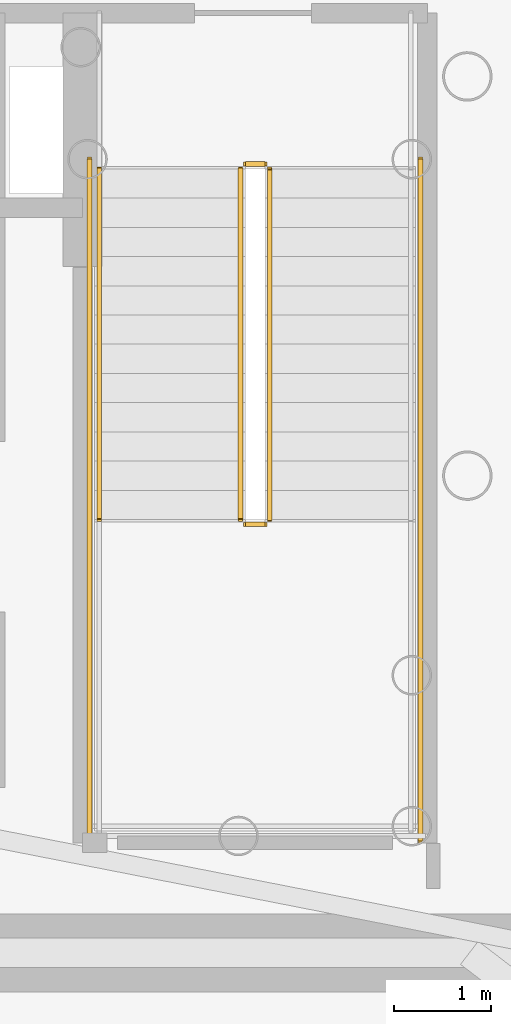
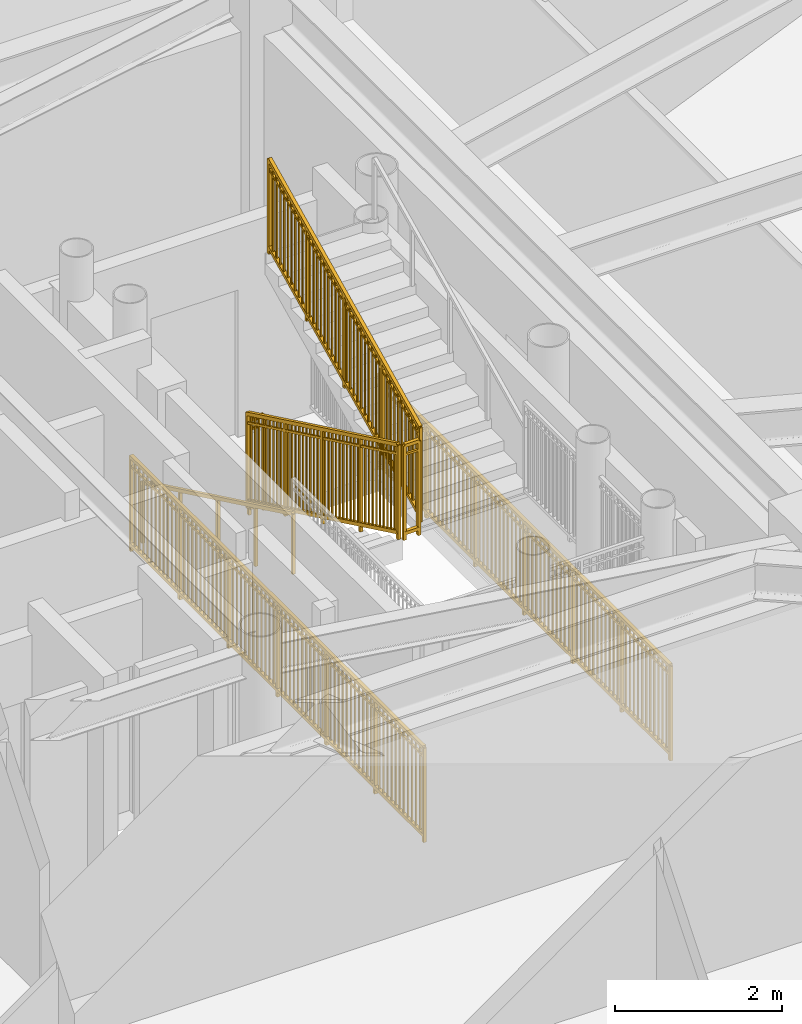
# One storey, part 19 of 20: 7 railings.
"""IFC4 building model written with IfcOpenShell, lengths in metres."""

from ifc_helpers import new_model, si_unit, direction, frame, origin, origin_2d, place, context, subcontext, project, spatial, rectangle, extrude, source, transform, mapped, material, type_object, element, save


model = new_model("IFC4")

# Units and contexts
model_context = context("Model", 3, precision=1e-05, world=origin(), true_north=direction((0.0, 1.0)))
body_context = subcontext(model_context, "Body", "Model", "MODEL_VIEW")
ifc_project = project(units=[si_unit("LENGTHUNIT", "METRE"), si_unit("AREAUNIT", "SQUARE_METRE"), si_unit("VOLUMEUNIT", "CUBIC_METRE"), si_unit("PLANEANGLEUNIT", "RADIAN"), si_unit("MASSUNIT", "GRAM", prefix="KILO")], contexts=[model_context])

# Site, building, storey
site_placement = place(None, origin())
site = spatial("IfcSite", under=ifc_project, at=site_placement, CompositionType="ELEMENT")
building_placement = place(site_placement, origin())
building = spatial("IfcBuilding", under=site, at=building_placement, Name="Linh Dai School and Residence Tower", CompositionType="ELEMENT")
storey_placement = place(building_placement, frame((0.0, 0.0, 127.199951171875)))
storey = spatial("IfcBuildingStorey", under=building, at=storey_placement, Name="L30", CompositionType="ELEMENT", Elevation=127.199951171875)

# Railings
ifc_material_1 = material(Name="Structural Steel S355JR", Category="steel")
railing_type_1 = type_object("IfcRailingType", Name="RL-ST-GUARD-1400", PredefinedType="GUARDRAIL", material=ifc_material_1)
shared_shape_1 = source(origin(), body_context, "Body", "SweptSolid", [
    extrude(rectangle(XDim=0.048095703125, YDim=0.048095703125, at=origin_2d()), frame((0.0, 0.0, 1.3759765625), z_axis=(0.0, 0.901262522062, 0.433273431364), x_axis=(-1.0, 0.0, 0.0)), (0.0, 0.0, 1.0), 3.994384765625),
    extrude(rectangle(XDim=0.048095703125, YDim=0.048095703125, at=origin_2d()), frame((0.0, 0.0, 0.10009765625), z_axis=(0.0, 0.901262522062, 0.433273431364), x_axis=(-1.0, 0.0, 0.0)), (0.0, 0.0, 1.0), 3.994384765625),
    extrude(rectangle(XDim=0.030029296875, YDim=0.030029296875, at=origin_2d()), frame((0.0, 0.0, 1.239990234375), z_axis=(0.0, 0.901262522062, 0.433273431364), x_axis=(-1.0, 0.0, 0.0)), (0.0, 0.0, 1.0), 3.994384765625),
    extrude(rectangle(XDim=0.02001953125, YDim=0.02001953125, at=origin_2d()), frame((0.0, 0.087890625, 0.142333984375)), (0.0, 0.0, 1.0), 1.251708984375),
    extrude(rectangle(XDim=0.02001953125, YDim=0.02001953125, at=origin_2d()), frame((0.0, 0.175537109375, 0.1845703125)), (0.0, 0.0, 1.0), 1.251708984375),
    extrude(rectangle(XDim=0.02001953125, YDim=0.02001953125, at=origin_2d()), frame((0.0, 0.263427734375, 0.226806640625)), (0.0, 0.0, 1.0), 1.251708984375),
    extrude(rectangle(XDim=0.02001953125, YDim=0.02001953125, at=origin_2d()), frame((0.0, 0.351318359375, 0.26904296875)), (0.0, 0.0, 1.0), 1.251708984375),
    extrude(rectangle(XDim=0.02001953125, YDim=0.02001953125, at=origin_2d()), frame((0.0, 0.43896484375, 0.311279296875)), (0.0, 0.0, 1.0), 1.251708984375),
    extrude(rectangle(XDim=0.02001953125, YDim=0.02001953125, at=origin_2d()), frame((0.0, 0.52685546875, 0.353271484375)), (0.0, 0.0, 1.0), 1.251708984375),
    extrude(rectangle(XDim=0.02001953125, YDim=0.02001953125, at=origin_2d()), frame((0.0, 0.61474609375, 0.3955078125)), (0.0, 0.0, 1.0), 1.251708984375),
    extrude(rectangle(XDim=0.02001953125, YDim=0.02001953125, at=origin_2d()), frame((0.0, 0.702392578125, 0.437744140625)), (0.0, 0.0, 1.0), 1.251708984375),
    extrude(rectangle(XDim=0.02001953125, YDim=0.02001953125, at=origin_2d()), frame((0.0, 0.790283203125, 0.47998046875)), (0.0, 0.0, 1.0), 1.251708984375),
    extrude(rectangle(XDim=0.02001953125, YDim=0.02001953125, at=origin_2d()), frame((0.0, 0.9658203125, 0.564453125)), (0.0, 0.0, 1.0), 1.251708984375),
    extrude(rectangle(XDim=0.02001953125, YDim=0.02001953125, at=origin_2d()), frame((0.0, 1.0537109375, 0.606689453125)), (0.0, 0.0, 1.0), 1.251708984375),
    extrude(rectangle(XDim=0.02001953125, YDim=0.02001953125, at=origin_2d()), frame((0.0, 1.1416015625, 0.64892578125)), (0.0, 0.0, 1.0), 1.251708984375),
    extrude(rectangle(XDim=0.02001953125, YDim=0.02001953125, at=origin_2d()), frame((0.0, 1.229248046875, 0.691162109375)), (0.0, 0.0, 1.0), 1.251708984375),
    extrude(rectangle(XDim=0.02001953125, YDim=0.02001953125, at=origin_2d()), frame((0.0, 1.317138671875, 0.7333984375)), (0.0, 0.0, 1.0), 1.251708984375),
    extrude(rectangle(XDim=0.02001953125, YDim=0.02001953125, at=origin_2d()), frame((0.0, 1.405029296875, 0.775390625)), (0.0, 0.0, 1.0), 1.251708984375),
    extrude(rectangle(XDim=0.02001953125, YDim=0.02001953125, at=origin_2d()), frame((0.0, 1.49267578125, 0.817626953125)), (0.0, 0.0, 1.0), 1.251708984375),
    extrude(rectangle(XDim=0.02001953125, YDim=0.02001953125, at=origin_2d()), frame((0.0, 1.58056640625, 0.85986328125)), (0.0, 0.0, 1.0), 1.251708984375),
    extrude(rectangle(XDim=0.02001953125, YDim=0.02001953125, at=origin_2d()), frame((0.0, 1.66845703125, 0.902099609375)), (0.0, 0.0, 1.0), 1.251708984375),
    extrude(rectangle(XDim=0.02001953125, YDim=0.02001953125, at=origin_2d()), frame((0.0, 1.756103515625, 0.9443359375)), (0.0, 0.0, 1.0), 1.251708984375),
    extrude(rectangle(XDim=0.02001953125, YDim=0.02001953125, at=origin_2d()), frame((0.0, 1.843994140625, 0.986572265625)), (0.0, 0.0, 1.0), 1.251708984375),
    extrude(rectangle(XDim=0.02001953125, YDim=0.02001953125, at=origin_2d()), frame((0.0, 1.931640625, 1.02880859375)), (0.0, 0.0, 1.0), 1.251708984375),
    extrude(rectangle(XDim=0.02001953125, YDim=0.02001953125, at=origin_2d()), frame((0.0, 2.01953125, 1.071044921875)), (0.0, 0.0, 1.0), 1.251708984375),
    extrude(rectangle(XDim=0.02001953125, YDim=0.02001953125, at=origin_2d()), frame((0.0, 2.107421875, 1.11328125)), (0.0, 0.0, 1.0), 1.251708984375),
    extrude(rectangle(XDim=0.02001953125, YDim=0.02001953125, at=origin_2d()), frame((0.0, 2.195068359375, 1.155517578125)), (0.0, 0.0, 1.0), 1.251708984375),
    extrude(rectangle(XDim=0.02001953125, YDim=0.02001953125, at=origin_2d()), frame((0.0, 2.282958984375, 1.197509765625)), (0.0, 0.0, 1.0), 1.251708984375),
    extrude(rectangle(XDim=0.02001953125, YDim=0.02001953125, at=origin_2d()), frame((0.0, 2.370849609375, 1.23974609375)), (0.0, 0.0, 1.0), 1.251708984375),
    extrude(rectangle(XDim=0.02001953125, YDim=0.02001953125, at=origin_2d()), frame((0.0, 2.45849609375, 1.281982421875)), (0.0, 0.0, 1.0), 1.251708984375),
    extrude(rectangle(XDim=0.02001953125, YDim=0.02001953125, at=origin_2d()), frame((0.0, 2.54638671875, 1.32421875)), (0.0, 0.0, 1.0), 1.251708984375),
    extrude(rectangle(XDim=0.02001953125, YDim=0.02001953125, at=origin_2d()), frame((0.0, 2.63427734375, 1.366455078125)), (0.0, 0.0, 1.0), 1.251708984375),
    extrude(rectangle(XDim=0.02001953125, YDim=0.02001953125, at=origin_2d()), frame((0.0, 2.809814453125, 1.450927734375)), (0.0, 0.0, 1.0), 1.251708984375),
    extrude(rectangle(XDim=0.02001953125, YDim=0.02001953125, at=origin_2d()), frame((0.0, 2.897705078125, 1.4931640625)), (0.0, 0.0, 1.0), 1.251708984375),
    extrude(rectangle(XDim=0.02001953125, YDim=0.02001953125, at=origin_2d()), frame((0.0, 2.9853515625, 1.535400390625)), (0.0, 0.0, 1.0), 1.251708984375),
    extrude(rectangle(XDim=0.02001953125, YDim=0.02001953125, at=origin_2d()), frame((0.0, 3.0732421875, 1.57763671875)), (0.0, 0.0, 1.0), 1.251708984375),
    extrude(rectangle(XDim=0.02001953125, YDim=0.02001953125, at=origin_2d()), frame((0.0, 3.1611328125, 1.61962890625)), (0.0, 0.0, 1.0), 1.251708984375),
    extrude(rectangle(XDim=0.02001953125, YDim=0.02001953125, at=origin_2d()), frame((0.0, 3.248779296875, 1.661865234375)), (0.0, 0.0, 1.0), 1.251708984375),
    extrude(rectangle(XDim=0.02001953125, YDim=0.02001953125, at=origin_2d()), frame((0.0, 3.336669921875, 1.7041015625)), (0.0, 0.0, 1.0), 1.251708984375),
    extrude(rectangle(XDim=0.02001953125, YDim=0.02001953125, at=origin_2d()), frame((0.0, 3.424560546875, 1.746337890625)), (0.0, 0.0, 1.0), 1.251708984375),
    extrude(rectangle(XDim=0.02001953125, YDim=0.02001953125, at=origin_2d()), frame((0.0, 3.51220703125, 1.78857421875)), (0.0, 0.0, 1.0), 1.251708984375),
    extrude(rectangle(XDim=0.0419921875, YDim=0.0419921875, at=origin_2d()), origin(), (0.0, 0.0, 1.0), 1.3759765625),
    extrude(rectangle(XDim=0.0419921875, YDim=0.0419921875, at=origin_2d()), frame((0.0, 0.89990234375, 0.4326171875)), (0.0, 0.0, 1.0), 1.3759765625),
    extrude(rectangle(XDim=0.0419921875, YDim=0.0419921875, at=origin_2d()), frame((0.0, 1.800048828125, 0.865234375)), (0.0, 0.0, 1.0), 1.3759765625),
    extrude(rectangle(XDim=0.0419921875, YDim=0.0419921875, at=origin_2d()), frame((0.0, 2.7001953125, 1.298095703125)), (0.0, 0.0, 1.0), 1.3759765625),
    extrude(rectangle(XDim=0.0419921875, YDim=0.0419921875, at=origin_2d()), frame((0.0, 3.60009765625, 1.730712890625)), (0.0, 0.0, 1.0), 1.3759765625),
])
railing_1_placement = place(storey_placement, frame((42.820068359375, 24.64990234375, 2.019287109375)))
element("IfcRailing", 1, at=railing_1_placement, inside=storey, type_object=railing_type_1, Name="L30 ST2 stair guard 6", PredefinedType="GUARDRAIL", context=body_context, shape_type="MappedRepresentation", body=[
    mapped(shared_shape_1, transform((0.0, 0.0, 0.0), x_axis=(1.0, 0.0, 0.0), y_axis=(0.0, 1.0, 0.0), z_axis=(0.0, 0.0, 1.0), scale=1.0)),
])
shared_shape_2 = source(origin(), body_context, "Body", "SweptSolid", [
    extrude(rectangle(XDim=0.048095703125, YDim=0.048095703125, at=origin_2d()), frame((0.0, 0.0, 1.3759765625), z_axis=(0.0, -0.901262522062, 0.433273431364), x_axis=(1.0, 0.0, 0.0)), (0.0, 0.0, 1.0), 3.994384765625),
    extrude(rectangle(XDim=0.048095703125, YDim=0.048095703125, at=origin_2d()), frame((0.0, 0.0, 0.10009765625), z_axis=(0.0, -0.901262522062, 0.433273431364), x_axis=(1.0, 0.0, 0.0)), (0.0, 0.0, 1.0), 3.994384765625),
    extrude(rectangle(XDim=0.030029296875, YDim=0.030029296875, at=origin_2d()), frame((0.0, 0.0, 1.239990234375), z_axis=(0.0, -0.901262522062, 0.433273431364), x_axis=(1.0, 0.0, 0.0)), (0.0, 0.0, 1.0), 3.994384765625),
    extrude(rectangle(XDim=0.02001953125, YDim=0.02001953125, at=origin_2d()), frame((0.0, -0.087890625, 0.142333984375)), (0.0, 0.0, 1.0), 1.251708984375),
    extrude(rectangle(XDim=0.02001953125, YDim=0.02001953125, at=origin_2d()), frame((0.0, -0.175537109375, 0.1845703125)), (0.0, 0.0, 1.0), 1.251708984375),
    extrude(rectangle(XDim=0.02001953125, YDim=0.02001953125, at=origin_2d()), frame((0.0, -0.263427734375, 0.226806640625)), (0.0, 0.0, 1.0), 1.251708984375),
    extrude(rectangle(XDim=0.02001953125, YDim=0.02001953125, at=origin_2d()), frame((0.0, -0.351318359375, 0.26904296875)), (0.0, 0.0, 1.0), 1.251708984375),
    extrude(rectangle(XDim=0.02001953125, YDim=0.02001953125, at=origin_2d()), frame((0.0, -0.43896484375, 0.311279296875)), (0.0, 0.0, 1.0), 1.251708984375),
    extrude(rectangle(XDim=0.02001953125, YDim=0.02001953125, at=origin_2d()), frame((0.0, -0.52685546875, 0.353271484375)), (0.0, 0.0, 1.0), 1.251708984375),
    extrude(rectangle(XDim=0.02001953125, YDim=0.02001953125, at=origin_2d()), frame((0.0, -0.61474609375, 0.3955078125)), (0.0, 0.0, 1.0), 1.251708984375),
    extrude(rectangle(XDim=0.02001953125, YDim=0.02001953125, at=origin_2d()), frame((0.0, -0.702392578125, 0.437744140625)), (0.0, 0.0, 1.0), 1.251708984375),
    extrude(rectangle(XDim=0.02001953125, YDim=0.02001953125, at=origin_2d()), frame((0.0, -0.790283203125, 0.47998046875)), (0.0, 0.0, 1.0), 1.251708984375),
    extrude(rectangle(XDim=0.02001953125, YDim=0.02001953125, at=origin_2d()), frame((0.0, -0.9658203125, 0.564453125)), (0.0, 0.0, 1.0), 1.251708984375),
    extrude(rectangle(XDim=0.02001953125, YDim=0.02001953125, at=origin_2d()), frame((0.0, -1.0537109375, 0.606689453125)), (0.0, 0.0, 1.0), 1.251708984375),
    extrude(rectangle(XDim=0.02001953125, YDim=0.02001953125, at=origin_2d()), frame((0.0, -1.1416015625, 0.64892578125)), (0.0, 0.0, 1.0), 1.251708984375),
    extrude(rectangle(XDim=0.02001953125, YDim=0.02001953125, at=origin_2d()), frame((0.0, -1.229248046875, 0.691162109375)), (0.0, 0.0, 1.0), 1.251708984375),
    extrude(rectangle(XDim=0.02001953125, YDim=0.02001953125, at=origin_2d()), frame((0.0, -1.317138671875, 0.7333984375)), (0.0, 0.0, 1.0), 1.251708984375),
    extrude(rectangle(XDim=0.02001953125, YDim=0.02001953125, at=origin_2d()), frame((0.0, -1.405029296875, 0.775390625)), (0.0, 0.0, 1.0), 1.251708984375),
    extrude(rectangle(XDim=0.02001953125, YDim=0.02001953125, at=origin_2d()), frame((0.0, -1.49267578125, 0.817626953125)), (0.0, 0.0, 1.0), 1.251708984375),
    extrude(rectangle(XDim=0.02001953125, YDim=0.02001953125, at=origin_2d()), frame((0.0, -1.58056640625, 0.85986328125)), (0.0, 0.0, 1.0), 1.251708984375),
    extrude(rectangle(XDim=0.02001953125, YDim=0.02001953125, at=origin_2d()), frame((0.0, -1.66845703125, 0.902099609375)), (0.0, 0.0, 1.0), 1.251708984375),
    extrude(rectangle(XDim=0.02001953125, YDim=0.02001953125, at=origin_2d()), frame((0.0, -1.756103515625, 0.9443359375)), (0.0, 0.0, 1.0), 1.251708984375),
    extrude(rectangle(XDim=0.02001953125, YDim=0.02001953125, at=origin_2d()), frame((0.0, -1.843994140625, 0.986572265625)), (0.0, 0.0, 1.0), 1.251708984375),
    extrude(rectangle(XDim=0.02001953125, YDim=0.02001953125, at=origin_2d()), frame((0.0, -1.931640625, 1.02880859375)), (0.0, 0.0, 1.0), 1.251708984375),
    extrude(rectangle(XDim=0.02001953125, YDim=0.02001953125, at=origin_2d()), frame((0.0, -2.01953125, 1.071044921875)), (0.0, 0.0, 1.0), 1.251708984375),
    extrude(rectangle(XDim=0.02001953125, YDim=0.02001953125, at=origin_2d()), frame((0.0, -2.107421875, 1.11328125)), (0.0, 0.0, 1.0), 1.251708984375),
    extrude(rectangle(XDim=0.02001953125, YDim=0.02001953125, at=origin_2d()), frame((0.0, -2.195068359375, 1.155517578125)), (0.0, 0.0, 1.0), 1.251708984375),
    extrude(rectangle(XDim=0.02001953125, YDim=0.02001953125, at=origin_2d()), frame((0.0, -2.282958984375, 1.197509765625)), (0.0, 0.0, 1.0), 1.251708984375),
    extrude(rectangle(XDim=0.02001953125, YDim=0.02001953125, at=origin_2d()), frame((0.0, -2.370849609375, 1.23974609375)), (0.0, 0.0, 1.0), 1.251708984375),
    extrude(rectangle(XDim=0.02001953125, YDim=0.02001953125, at=origin_2d()), frame((0.0, -2.45849609375, 1.281982421875)), (0.0, 0.0, 1.0), 1.251708984375),
    extrude(rectangle(XDim=0.02001953125, YDim=0.02001953125, at=origin_2d()), frame((0.0, -2.54638671875, 1.32421875)), (0.0, 0.0, 1.0), 1.251708984375),
    extrude(rectangle(XDim=0.02001953125, YDim=0.02001953125, at=origin_2d()), frame((0.0, -2.63427734375, 1.366455078125)), (0.0, 0.0, 1.0), 1.251708984375),
    extrude(rectangle(XDim=0.02001953125, YDim=0.02001953125, at=origin_2d()), frame((0.0, -2.809814453125, 1.450927734375)), (0.0, 0.0, 1.0), 1.251708984375),
    extrude(rectangle(XDim=0.02001953125, YDim=0.02001953125, at=origin_2d()), frame((0.0, -2.897705078125, 1.4931640625)), (0.0, 0.0, 1.0), 1.251708984375),
    extrude(rectangle(XDim=0.02001953125, YDim=0.02001953125, at=origin_2d()), frame((0.0, -2.9853515625, 1.535400390625)), (0.0, 0.0, 1.0), 1.251708984375),
    extrude(rectangle(XDim=0.02001953125, YDim=0.02001953125, at=origin_2d()), frame((0.0, -3.0732421875, 1.57763671875)), (0.0, 0.0, 1.0), 1.251708984375),
    extrude(rectangle(XDim=0.02001953125, YDim=0.02001953125, at=origin_2d()), frame((0.0, -3.1611328125, 1.61962890625)), (0.0, 0.0, 1.0), 1.251708984375),
    extrude(rectangle(XDim=0.02001953125, YDim=0.02001953125, at=origin_2d()), frame((0.0, -3.248779296875, 1.661865234375)), (0.0, 0.0, 1.0), 1.251708984375),
    extrude(rectangle(XDim=0.02001953125, YDim=0.02001953125, at=origin_2d()), frame((0.0, -3.336669921875, 1.7041015625)), (0.0, 0.0, 1.0), 1.251708984375),
    extrude(rectangle(XDim=0.02001953125, YDim=0.02001953125, at=origin_2d()), frame((0.0, -3.424560546875, 1.746337890625)), (0.0, 0.0, 1.0), 1.251708984375),
    extrude(rectangle(XDim=0.02001953125, YDim=0.02001953125, at=origin_2d()), frame((0.0, -3.51220703125, 1.78857421875)), (0.0, 0.0, 1.0), 1.251708984375),
    extrude(rectangle(XDim=0.0419921875, YDim=0.0419921875, at=origin_2d()), origin(), (0.0, 0.0, 1.0), 1.3759765625),
    extrude(rectangle(XDim=0.0419921875, YDim=0.0419921875, at=origin_2d()), frame((0.0, -0.89990234375, 0.4326171875)), (0.0, 0.0, 1.0), 1.3759765625),
    extrude(rectangle(XDim=0.0419921875, YDim=0.0419921875, at=origin_2d()), frame((0.0, -1.800048828125, 0.865234375)), (0.0, 0.0, 1.0), 1.3759765625),
    extrude(rectangle(XDim=0.0419921875, YDim=0.0419921875, at=origin_2d()), frame((0.0, -2.7001953125, 1.298095703125)), (0.0, 0.0, 1.0), 1.3759765625),
    extrude(rectangle(XDim=0.0419921875, YDim=0.0419921875, at=origin_2d()), frame((0.0, -3.60009765625, 1.730712890625)), (0.0, 0.0, 1.0), 1.3759765625),
])
railing_2_placement = place(storey_placement, frame((42.52001953125, 28.25, 0.144287109375)))
element("IfcRailing", 2, at=railing_2_placement, inside=storey, type_object=railing_type_1, Name="L30 ST2 stair guard 1", PredefinedType="GUARDRAIL", context=body_context, shape_type="MappedRepresentation", body=[
    mapped(shared_shape_2, transform((0.0, 0.0, 0.0), x_axis=(1.0, 0.0, 0.0), y_axis=(0.0, 1.0, 0.0), z_axis=(0.0, 0.0, 1.0), scale=1.0)),
])
ifc_material_2 = material(Name="Brushed Stainless Steel Handrail", Category="steel")
railing_type_2 = type_object("IfcRailingType", Name="RL-ST-HANDRAIL-900", PredefinedType="HANDRAIL", material=ifc_material_2)
shared_shape_3 = source(origin(), body_context, "Body", "SweptSolid", [
    extrude(rectangle(XDim=0.048095703125, YDim=0.048095703125, at=origin_2d()), frame((0.0, 0.0, 0.8759765625), z_axis=(0.0, -0.901262522062, 0.433273431364), x_axis=(1.0, 0.0, 0.0)), (0.0, 0.0, 1.0), 3.994384765625),
    extrude(rectangle(XDim=0.0419921875, YDim=0.0419921875, at=origin_2d()), origin(), (0.0, 0.0, 1.0), 0.8759765625),
    extrude(rectangle(XDim=0.0419921875, YDim=0.0419921875, at=origin_2d()), frame((0.0, -0.89990234375, 0.4326171875)), (0.0, 0.0, 1.0), 0.8759765625),
    extrude(rectangle(XDim=0.0419921875, YDim=0.0419921875, at=origin_2d()), frame((0.0, -1.800048828125, 0.865234375)), (0.0, 0.0, 1.0), 0.8759765625),
    extrude(rectangle(XDim=0.0419921875, YDim=0.0419921875, at=origin_2d()), frame((0.0, -2.7001953125, 1.298095703125)), (0.0, 0.0, 1.0), 0.8759765625),
    extrude(rectangle(XDim=0.0419921875, YDim=0.0419921875, at=origin_2d()), frame((0.0, -3.60009765625, 1.730712890625)), (0.0, 0.0, 1.0), 0.8759765625),
])
railing_3_placement = place(storey_placement, frame((41.070068359375, 28.25, 0.144287109375)))
element("IfcRailing", 3, at=railing_3_placement, inside=storey, type_object=railing_type_2, Name="L30 ST2 stair handrail 1", PredefinedType="HANDRAIL", context=body_context, shape_type="MappedRepresentation", body=[
    mapped(shared_shape_3, transform((0.0, 0.0, 0.0), x_axis=(1.0, 0.0, 0.0), y_axis=(0.0, 1.0, 0.0), z_axis=(0.0, 0.0, 1.0), scale=1.0)),
])
shared_shape_4 = source(origin(), body_context, "Body", "SweptSolid", [
    extrude(rectangle(XDim=0.048095703125, YDim=0.048095703125, at=origin_2d()), frame((0.0, 0.0, 1.3759765625), z_axis=(1.0, 0.0, 0.0), x_axis=(0.0, 1.0, 0.0)), (0.0, 0.0, 1.0), 0.199951171875),
    extrude(rectangle(XDim=0.048095703125, YDim=0.048095703125, at=origin_2d()), frame((0.0, 0.0, 0.10009765625), z_axis=(1.0, 0.0, 0.0), x_axis=(0.0, 1.0, 0.0)), (0.0, 0.0, 1.0), 0.199951171875),
    extrude(rectangle(XDim=0.030029296875, YDim=0.030029296875, at=origin_2d()), frame((0.0, 0.0, 1.239990234375), z_axis=(1.0, 0.0, 0.0), x_axis=(0.0, 1.0, 0.0)), (0.0, 0.0, 1.0), 0.199951171875),
    extrude(rectangle(XDim=0.0419921875, YDim=0.0419921875, at=origin_2d()), origin(), (0.0, 0.0, 1.0), 1.3759765625),
    extrude(rectangle(XDim=0.0419921875, YDim=0.0419921875, at=origin_2d()), frame((0.199951171875, 0.0, 0.0)), (0.0, 0.0, 1.0), 1.3759765625),
])
for number, where, name in (
    (4, (42.570068359375, 24.60009765625, 1.875), "L30 ST2 stair guard 2"),
    (5, (42.570068359375, 28.300048828125, 0.0), "L30 ST2 stair guard 7"),
):
    element("IfcRailing", number, at=place(storey_placement, frame(where)), inside=storey, type_object=railing_type_1, Name=name, PredefinedType="GUARDRAIL", context=body_context, shape_type="MappedRepresentation", body=[
        mapped(shared_shape_4, transform((0.0, 0.0, 0.0), x_axis=(1.0, 0.0, 0.0), y_axis=(0.0, 1.0, 0.0), z_axis=(0.0, 0.0, 1.0), scale=1.0)),
    ])
shared_shape_5 = source(origin(), body_context, "Body", "SweptSolid", [
    extrude(rectangle(XDim=0.048095703125, YDim=0.048095703125, at=origin_2d()), frame((0.0, 0.0, 1.3759765625), z_axis=(0.0, -1.0, 0.0), x_axis=(1.0, 0.0, 0.0)), (0.0, 0.0, 1.0), 7.0),
    extrude(rectangle(XDim=0.048095703125, YDim=0.048095703125, at=origin_2d()), frame((0.0, 0.0, 0.10009765625), z_axis=(0.0, -1.0, 0.0), x_axis=(1.0, 0.0, 0.0)), (0.0, 0.0, 1.0), 7.0),
    extrude(rectangle(XDim=0.030029296875, YDim=0.030029296875, at=origin_2d()), frame((0.0, 0.0, 1.239990234375), z_axis=(0.0, -1.0, 0.0), x_axis=(1.0, 0.0, 0.0)), (0.0, 0.0, 1.0), 7.0),
    extrude(rectangle(XDim=0.02001953125, YDim=0.02001953125, at=origin_2d()), frame((0.0, -0.09716796875, 0.10009765625)), (0.0, 0.0, 1.0), 1.251708984375),
    extrude(rectangle(XDim=0.02001953125, YDim=0.02001953125, at=origin_2d()), frame((0.0, -0.1943359375, 0.10009765625)), (0.0, 0.0, 1.0), 1.251708984375),
    extrude(rectangle(XDim=0.02001953125, YDim=0.02001953125, at=origin_2d()), frame((0.0, -0.291748046875, 0.10009765625)), (0.0, 0.0, 1.0), 1.251708984375),
    extrude(rectangle(XDim=0.02001953125, YDim=0.02001953125, at=origin_2d()), frame((0.0, -0.388916015625, 0.10009765625)), (0.0, 0.0, 1.0), 1.251708984375),
    extrude(rectangle(XDim=0.02001953125, YDim=0.02001953125, at=origin_2d()), frame((0.0, -0.486083984375, 0.10009765625)), (0.0, 0.0, 1.0), 1.251708984375),
    extrude(rectangle(XDim=0.02001953125, YDim=0.02001953125, at=origin_2d()), frame((0.0, -0.583251953125, 0.10009765625)), (0.0, 0.0, 1.0), 1.251708984375),
    extrude(rectangle(XDim=0.02001953125, YDim=0.02001953125, at=origin_2d()), frame((0.0, -0.6806640625, 0.10009765625)), (0.0, 0.0, 1.0), 1.251708984375),
    extrude(rectangle(XDim=0.02001953125, YDim=0.02001953125, at=origin_2d()), frame((0.0, -0.77783203125, 0.10009765625)), (0.0, 0.0, 1.0), 1.251708984375),
    extrude(rectangle(XDim=0.02001953125, YDim=0.02001953125, at=origin_2d()), frame((0.0, -0.875, 0.10009765625)), (0.0, 0.0, 1.0), 1.251708984375),
    extrude(rectangle(XDim=0.02001953125, YDim=0.02001953125, at=origin_2d()), frame((0.0, -0.97216796875, 0.10009765625)), (0.0, 0.0, 1.0), 1.251708984375),
    extrude(rectangle(XDim=0.02001953125, YDim=0.02001953125, at=origin_2d()), frame((0.0, -1.0693359375, 0.10009765625)), (0.0, 0.0, 1.0), 1.251708984375),
    extrude(rectangle(XDim=0.02001953125, YDim=0.02001953125, at=origin_2d()), frame((0.0, -1.263916015625, 0.10009765625)), (0.0, 0.0, 1.0), 1.251708984375),
    extrude(rectangle(XDim=0.02001953125, YDim=0.02001953125, at=origin_2d()), frame((0.0, -1.361083984375, 0.10009765625)), (0.0, 0.0, 1.0), 1.251708984375),
    extrude(rectangle(XDim=0.02001953125, YDim=0.02001953125, at=origin_2d()), frame((0.0, -1.458251953125, 0.10009765625)), (0.0, 0.0, 1.0), 1.251708984375),
    extrude(rectangle(XDim=0.02001953125, YDim=0.02001953125, at=origin_2d()), frame((0.0, -1.5556640625, 0.10009765625)), (0.0, 0.0, 1.0), 1.251708984375),
    extrude(rectangle(XDim=0.02001953125, YDim=0.02001953125, at=origin_2d()), frame((0.0, -1.65283203125, 0.10009765625)), (0.0, 0.0, 1.0), 1.251708984375),
    extrude(rectangle(XDim=0.02001953125, YDim=0.02001953125, at=origin_2d()), frame((0.0, -1.75, 0.10009765625)), (0.0, 0.0, 1.0), 1.251708984375),
    extrude(rectangle(XDim=0.02001953125, YDim=0.02001953125, at=origin_2d()), frame((0.0, -1.84716796875, 0.10009765625)), (0.0, 0.0, 1.0), 1.251708984375),
    extrude(rectangle(XDim=0.02001953125, YDim=0.02001953125, at=origin_2d()), frame((0.0, -1.9443359375, 0.10009765625)), (0.0, 0.0, 1.0), 1.251708984375),
    extrude(rectangle(XDim=0.02001953125, YDim=0.02001953125, at=origin_2d()), frame((0.0, -2.041748046875, 0.10009765625)), (0.0, 0.0, 1.0), 1.251708984375),
    extrude(rectangle(XDim=0.02001953125, YDim=0.02001953125, at=origin_2d()), frame((0.0, -2.138916015625, 0.10009765625)), (0.0, 0.0, 1.0), 1.251708984375),
    extrude(rectangle(XDim=0.02001953125, YDim=0.02001953125, at=origin_2d()), frame((0.0, -2.236083984375, 0.10009765625)), (0.0, 0.0, 1.0), 1.251708984375),
    extrude(rectangle(XDim=0.02001953125, YDim=0.02001953125, at=origin_2d()), frame((0.0, -2.4306640625, 0.10009765625)), (0.0, 0.0, 1.0), 1.251708984375),
    extrude(rectangle(XDim=0.02001953125, YDim=0.02001953125, at=origin_2d()), frame((0.0, -2.52783203125, 0.10009765625)), (0.0, 0.0, 1.0), 1.251708984375),
    extrude(rectangle(XDim=0.02001953125, YDim=0.02001953125, at=origin_2d()), frame((0.0, -2.625, 0.10009765625)), (0.0, 0.0, 1.0), 1.251708984375),
    extrude(rectangle(XDim=0.02001953125, YDim=0.02001953125, at=origin_2d()), frame((0.0, -2.72216796875, 0.10009765625)), (0.0, 0.0, 1.0), 1.251708984375),
    extrude(rectangle(XDim=0.02001953125, YDim=0.02001953125, at=origin_2d()), frame((0.0, -2.8193359375, 0.10009765625)), (0.0, 0.0, 1.0), 1.251708984375),
    extrude(rectangle(XDim=0.02001953125, YDim=0.02001953125, at=origin_2d()), frame((0.0, -2.916748046875, 0.10009765625)), (0.0, 0.0, 1.0), 1.251708984375),
    extrude(rectangle(XDim=0.02001953125, YDim=0.02001953125, at=origin_2d()), frame((0.0, -3.013916015625, 0.10009765625)), (0.0, 0.0, 1.0), 1.251708984375),
    extrude(rectangle(XDim=0.02001953125, YDim=0.02001953125, at=origin_2d()), frame((0.0, -3.111083984375, 0.10009765625)), (0.0, 0.0, 1.0), 1.251708984375),
    extrude(rectangle(XDim=0.02001953125, YDim=0.02001953125, at=origin_2d()), frame((0.0, -3.208251953125, 0.10009765625)), (0.0, 0.0, 1.0), 1.251708984375),
    extrude(rectangle(XDim=0.02001953125, YDim=0.02001953125, at=origin_2d()), frame((0.0, -3.3056640625, 0.10009765625)), (0.0, 0.0, 1.0), 1.251708984375),
    extrude(rectangle(XDim=0.02001953125, YDim=0.02001953125, at=origin_2d()), frame((0.0, -3.40283203125, 0.10009765625)), (0.0, 0.0, 1.0), 1.251708984375),
    extrude(rectangle(XDim=0.02001953125, YDim=0.02001953125, at=origin_2d()), frame((0.0, -3.59716796875, 0.10009765625)), (0.0, 0.0, 1.0), 1.251708984375),
    extrude(rectangle(XDim=0.02001953125, YDim=0.02001953125, at=origin_2d()), frame((0.0, -3.6943359375, 0.10009765625)), (0.0, 0.0, 1.0), 1.251708984375),
    extrude(rectangle(XDim=0.02001953125, YDim=0.02001953125, at=origin_2d()), frame((0.0, -3.791748046875, 0.10009765625)), (0.0, 0.0, 1.0), 1.251708984375),
    extrude(rectangle(XDim=0.02001953125, YDim=0.02001953125, at=origin_2d()), frame((0.0, -3.888916015625, 0.10009765625)), (0.0, 0.0, 1.0), 1.251708984375),
    extrude(rectangle(XDim=0.02001953125, YDim=0.02001953125, at=origin_2d()), frame((0.0, -3.986083984375, 0.10009765625)), (0.0, 0.0, 1.0), 1.251708984375),
    extrude(rectangle(XDim=0.02001953125, YDim=0.02001953125, at=origin_2d()), frame((0.0, -4.083251953125, 0.10009765625)), (0.0, 0.0, 1.0), 1.251708984375),
    extrude(rectangle(XDim=0.02001953125, YDim=0.02001953125, at=origin_2d()), frame((0.0, -4.1806640625, 0.10009765625)), (0.0, 0.0, 1.0), 1.251708984375),
    extrude(rectangle(XDim=0.02001953125, YDim=0.02001953125, at=origin_2d()), frame((0.0, -4.27783203125, 0.10009765625)), (0.0, 0.0, 1.0), 1.251708984375),
    extrude(rectangle(XDim=0.02001953125, YDim=0.02001953125, at=origin_2d()), frame((0.0, -4.375, 0.10009765625)), (0.0, 0.0, 1.0), 1.251708984375),
    extrude(rectangle(XDim=0.02001953125, YDim=0.02001953125, at=origin_2d()), frame((0.0, -4.47216796875, 0.10009765625)), (0.0, 0.0, 1.0), 1.251708984375),
    extrude(rectangle(XDim=0.02001953125, YDim=0.02001953125, at=origin_2d()), frame((0.0, -4.5693359375, 0.10009765625)), (0.0, 0.0, 1.0), 1.251708984375),
    extrude(rectangle(XDim=0.02001953125, YDim=0.02001953125, at=origin_2d()), frame((0.0, -4.763916015625, 0.10009765625)), (0.0, 0.0, 1.0), 1.251708984375),
    extrude(rectangle(XDim=0.02001953125, YDim=0.02001953125, at=origin_2d()), frame((0.0, -4.861083984375, 0.10009765625)), (0.0, 0.0, 1.0), 1.251708984375),
    extrude(rectangle(XDim=0.02001953125, YDim=0.02001953125, at=origin_2d()), frame((0.0, -4.958251953125, 0.10009765625)), (0.0, 0.0, 1.0), 1.251708984375),
    extrude(rectangle(XDim=0.02001953125, YDim=0.02001953125, at=origin_2d()), frame((0.0, -5.0556640625, 0.10009765625)), (0.0, 0.0, 1.0), 1.251708984375),
    extrude(rectangle(XDim=0.02001953125, YDim=0.02001953125, at=origin_2d()), frame((0.0, -5.15283203125, 0.10009765625)), (0.0, 0.0, 1.0), 1.251708984375),
    extrude(rectangle(XDim=0.02001953125, YDim=0.02001953125, at=origin_2d()), frame((0.0, -5.25, 0.10009765625)), (0.0, 0.0, 1.0), 1.251708984375),
    extrude(rectangle(XDim=0.02001953125, YDim=0.02001953125, at=origin_2d()), frame((0.0, -5.34716796875, 0.10009765625)), (0.0, 0.0, 1.0), 1.251708984375),
    extrude(rectangle(XDim=0.02001953125, YDim=0.02001953125, at=origin_2d()), frame((0.0, -5.4443359375, 0.10009765625)), (0.0, 0.0, 1.0), 1.251708984375),
    extrude(rectangle(XDim=0.02001953125, YDim=0.02001953125, at=origin_2d()), frame((0.0, -5.541748046875, 0.10009765625)), (0.0, 0.0, 1.0), 1.251708984375),
    extrude(rectangle(XDim=0.02001953125, YDim=0.02001953125, at=origin_2d()), frame((0.0, -5.638916015625, 0.10009765625)), (0.0, 0.0, 1.0), 1.251708984375),
    extrude(rectangle(XDim=0.02001953125, YDim=0.02001953125, at=origin_2d()), frame((0.0, -5.736083984375, 0.10009765625)), (0.0, 0.0, 1.0), 1.251708984375),
    extrude(rectangle(XDim=0.02001953125, YDim=0.02001953125, at=origin_2d()), frame((0.0, -5.9306640625, 0.10009765625)), (0.0, 0.0, 1.0), 1.251708984375),
    extrude(rectangle(XDim=0.02001953125, YDim=0.02001953125, at=origin_2d()), frame((0.0, -6.02783203125, 0.10009765625)), (0.0, 0.0, 1.0), 1.251708984375),
    extrude(rectangle(XDim=0.02001953125, YDim=0.02001953125, at=origin_2d()), frame((0.0, -6.125, 0.10009765625)), (0.0, 0.0, 1.0), 1.251708984375),
    extrude(rectangle(XDim=0.02001953125, YDim=0.02001953125, at=origin_2d()), frame((0.0, -6.22216796875, 0.10009765625)), (0.0, 0.0, 1.0), 1.251708984375),
    extrude(rectangle(XDim=0.02001953125, YDim=0.02001953125, at=origin_2d()), frame((0.0, -6.3193359375, 0.10009765625)), (0.0, 0.0, 1.0), 1.251708984375),
    extrude(rectangle(XDim=0.02001953125, YDim=0.02001953125, at=origin_2d()), frame((0.0, -6.416748046875, 0.10009765625)), (0.0, 0.0, 1.0), 1.251708984375),
    extrude(rectangle(XDim=0.02001953125, YDim=0.02001953125, at=origin_2d()), frame((0.0, -6.513916015625, 0.10009765625)), (0.0, 0.0, 1.0), 1.251708984375),
    extrude(rectangle(XDim=0.02001953125, YDim=0.02001953125, at=origin_2d()), frame((0.0, -6.611083984375, 0.10009765625)), (0.0, 0.0, 1.0), 1.251708984375),
    extrude(rectangle(XDim=0.02001953125, YDim=0.02001953125, at=origin_2d()), frame((0.0, -6.708251953125, 0.10009765625)), (0.0, 0.0, 1.0), 1.251708984375),
    extrude(rectangle(XDim=0.02001953125, YDim=0.02001953125, at=origin_2d()), frame((0.0, -6.8056640625, 0.10009765625)), (0.0, 0.0, 1.0), 1.251708984375),
    extrude(rectangle(XDim=0.02001953125, YDim=0.02001953125, at=origin_2d()), frame((0.0, -6.90283203125, 0.10009765625)), (0.0, 0.0, 1.0), 1.251708984375),
    extrude(rectangle(XDim=0.0419921875, YDim=0.0419921875, at=origin_2d()), origin(), (0.0, 0.0, 1.0), 1.3759765625),
    extrude(rectangle(XDim=0.0419921875, YDim=0.0419921875, at=origin_2d()), frame((0.0, -1.166748046875, 0.0)), (0.0, 0.0, 1.0), 1.3759765625),
    extrude(rectangle(XDim=0.0419921875, YDim=0.0419921875, at=origin_2d()), frame((0.0, -2.333251953125, 0.0)), (0.0, 0.0, 1.0), 1.3759765625),
    extrude(rectangle(XDim=0.0419921875, YDim=0.0419921875, at=origin_2d()), frame((0.0, -3.5, 0.0)), (0.0, 0.0, 1.0), 1.3759765625),
    extrude(rectangle(XDim=0.0419921875, YDim=0.0419921875, at=origin_2d()), frame((0.0, -4.666748046875, 0.0)), (0.0, 0.0, 1.0), 1.3759765625),
    extrude(rectangle(XDim=0.0419921875, YDim=0.0419921875, at=origin_2d()), frame((0.0, -5.833251953125, 0.0)), (0.0, 0.0, 1.0), 1.3759765625),
    extrude(rectangle(XDim=0.0419921875, YDim=0.0419921875, at=origin_2d()), frame((0.0, -7.0, 0.0)), (0.0, 0.0, 1.0), 1.3759765625),
])
for number, where, name in (
    (6, (40.969970703125, 28.35009765625, 0.0), "L30 ST2 stair guard 10"),
    (7, (44.3701171875, 28.35009765625, 0.0), "L30 ST2 stair guard 11"),
):
    element("IfcRailing", number, at=place(storey_placement, frame(where)), inside=storey, type_object=railing_type_1, Name=name, PredefinedType="GUARDRAIL", context=body_context, shape_type="MappedRepresentation", body=[
        mapped(shared_shape_5, transform((0.0, 0.0, 0.0), x_axis=(1.0, 0.0, 0.0), y_axis=(0.0, 1.0, 0.0), z_axis=(0.0, 0.0, 1.0), scale=1.0)),
    ])

save(model, "model.ifc")
